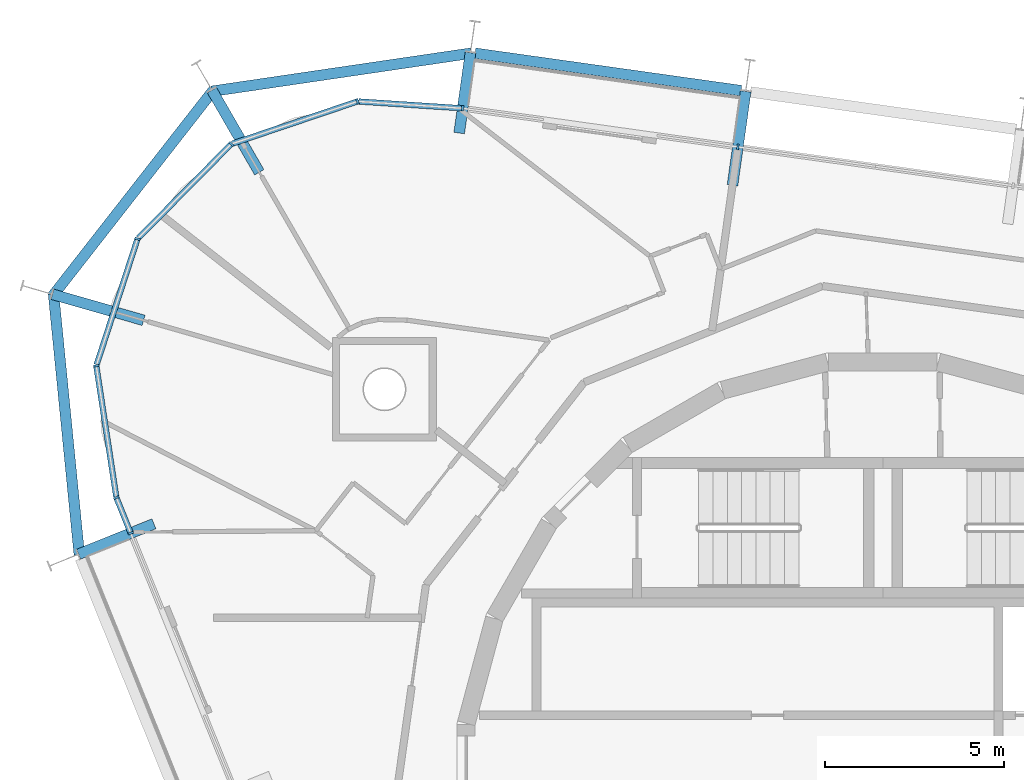
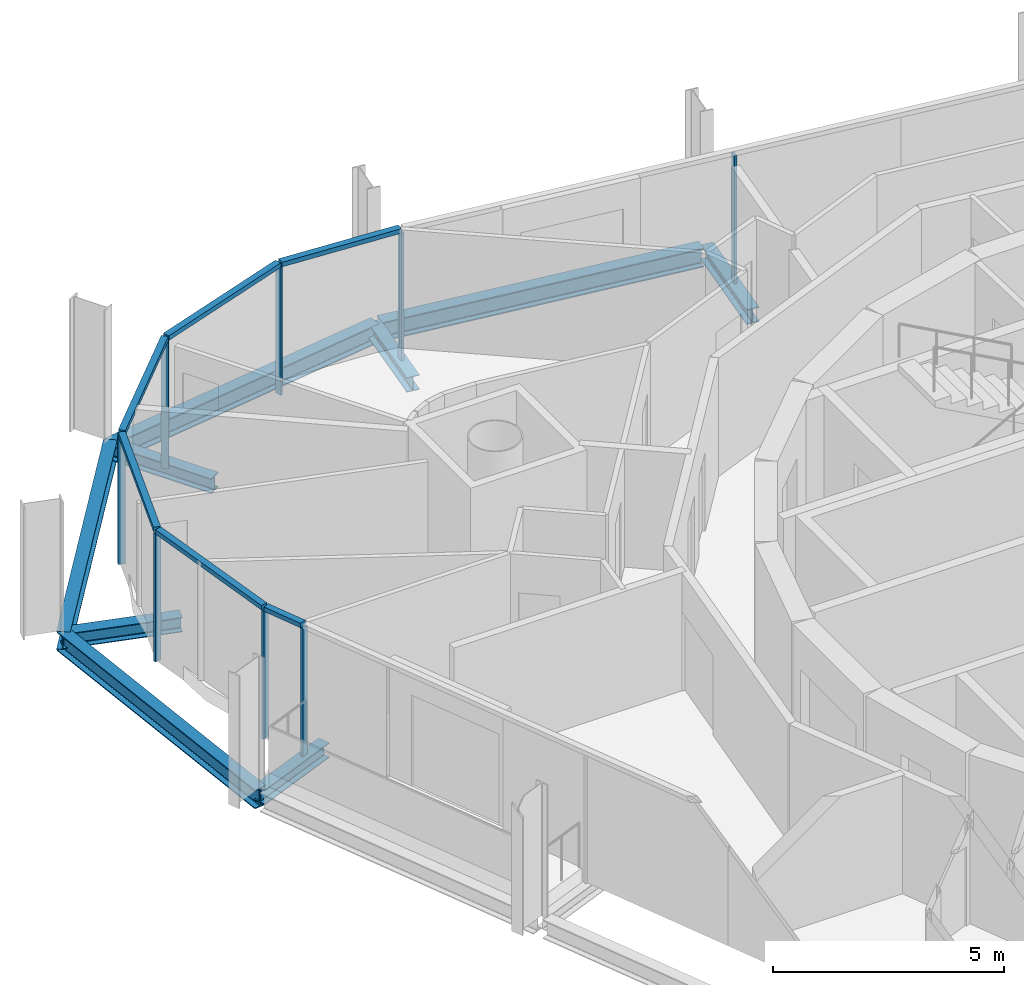
# One storey, part 5 of 15: 14 members, 9 beams, 3 elements without a shape of their own.
"""IFC4 building model written with IfcOpenShell, lengths in metres."""

from ifc_helpers import new_model, si_unit, direction, frame, origin, origin_2d, place, context, subcontext, project, spatial, rectangle, i_section, extrude, material, layer, layer_set, material_profile, profile_set, type_object, element, aggregate, save


model = new_model("IFC4")

# Units and contexts
model_context = context("Model", 3, precision=1e-05, world=origin(), true_north=direction((0.0, 1.0)))
body_context = subcontext(model_context, "Body", "Model", "MODEL_VIEW")
ifc_project = project(units=[si_unit("LENGTHUNIT", "METRE"), si_unit("AREAUNIT", "SQUARE_METRE"), si_unit("VOLUMEUNIT", "CUBIC_METRE"), si_unit("PLANEANGLEUNIT", "RADIAN"), si_unit("MASSUNIT", "GRAM", prefix="KILO")], contexts=[model_context])

# Site, building, storey
site_placement = place(None, origin())
site = spatial("IfcSite", under=ifc_project, at=site_placement, CompositionType="ELEMENT")
building_placement = place(site_placement, origin())
building = spatial("IfcBuilding", under=site, at=building_placement, Name="Spindle Arch Residences", CompositionType="ELEMENT")
storey_placement = place(building_placement, frame((0.0, 0.0, 357.5)))
storey = spatial("IfcBuildingStorey", under=building, at=storey_placement, Name="L92", CompositionType="ELEMENT", Elevation=357.5)

# Curtain wall, member
ifc_material_1 = material(Name="Aluminium bronze unitised frame with tinted glass", Category="aluminium")
ifc_layer_1 = layer(ifc_material_1, 0.159912109375)
ifc_layer_set_1 = layer_set([ifc_layer_1], Name="CW-C typical residential unitised wall")
curtain_wall_type_1 = type_object("IfcCurtainWallType", Name="CW-C typical residential unitised wall", PredefinedType="NOTDEFINED", material=ifc_layer_set_1)
curtain_wall_1_placement = place(storey_placement, origin())
curtain_wall_1 = element("IfcCurtainWall", 1, at=curtain_wall_1_placement, inside=storey, type_object=curtain_wall_type_1, Name="CW-C L92 run 2", PredefinedType="NOTDEFINED")
ifc_material_2 = material(Name="Aluminium bronze anodised mullion", Category="aluminium")
ifc_material_profile_1 = material_profile(ifc_material_2, rectangle(XDim=0.159912109375, YDim=0.06005859375, at=origin_2d()), Name="MU 60x160")
ifc_profile_set_1 = profile_set([ifc_material_profile_1], Name="Aluminium bronze anodised mullion")
member_type_1 = type_object("IfcMemberType", Name="Bronze mullion 60x160", PredefinedType="MULLION", material=ifc_profile_set_1)
member_1_placement = place(storey_placement, frame((-4.0537109375, 17.654296875, -0.3798828125), z_axis=(0.0, 0.0, 1.0), x_axis=(-0.13917310096, -0.990268068742, 0.0)))
member_1 = element("IfcMember", 2, at=member_1_placement, type_object=member_type_1, Name="CW-C mullion 07", PredefinedType="MULLION", context=body_context, shape_type="SweptSolid", body=[
    extrude(rectangle(XDim=0.159912109375, YDim=0.06005859375, at=origin_2d()), origin(), (0.0, 0.0, 1.0), 3.3798828125),
])
aggregate(curtain_wall_1, [member_1])

# Curtain wall, members
ifc_material_3 = material(Name="Aluminium bronze unitised frame with tinted glass", Category="aluminium")
ifc_layer_2 = layer(ifc_material_3, 0.159912109375)
ifc_layer_set_2 = layer_set([ifc_layer_2], Name="CW-D corner wall on the fillet arcs")
curtain_wall_type_2 = type_object("IfcCurtainWallType", Name="CW-D corner wall on the fillet arcs", PredefinedType="NOTDEFINED", material=ifc_layer_set_2)
curtain_wall_2_placement = place(storey_placement, origin())
curtain_wall_2 = element("IfcCurtainWall", 3, at=curtain_wall_2_placement, inside=storey, type_object=curtain_wall_type_2, Name="CW-D L92 run 3", PredefinedType="NOTDEFINED")
member_2_placement = place(storey_placement, frame((-11.74365234375, 18.735107421875, -0.3798828125), z_axis=(0.0, 0.0, 1.0), x_axis=(-0.065509719587, -0.99785193122, 0.0)))
member_2 = element("IfcMember", 4, at=member_2_placement, type_object=member_type_1, Name="CW-D mullion 00", PredefinedType="MULLION", context=body_context, shape_type="SweptSolid", body=[
    extrude(rectangle(XDim=0.159912109375, YDim=0.06005859375, at=origin_2d()), origin(), (0.0, 0.0, 1.0), 3.3798828125),
])
member_3_placement = place(storey_placement, frame((-14.6806640625, 18.927978515625, -0.3798828125), z_axis=(0.0, 0.0, 1.0), x_axis=(0.320061877599, -0.947396640541, 0.0)))
member_3 = element("IfcMember", 5, at=member_3_placement, type_object=member_type_1, Name="CW-D mullion 01", PredefinedType="MULLION", context=body_context, shape_type="SweptSolid", body=[
    extrude(rectangle(XDim=0.159912109375, YDim=0.06005859375, at=origin_2d()), origin(), (0.0, 0.0, 1.0), 3.3798828125),
])
member_4_placement = place(storey_placement, frame((-18.211181640625, 17.735107421875, -0.3798828125), z_axis=(0.0, 0.0, 1.0), x_axis=(0.711208574043, -0.702981055369, 0.0)))
member_4 = element("IfcMember", 6, at=member_4_placement, type_object=member_type_1, Name="CW-D mullion 02", PredefinedType="MULLION", context=body_context, shape_type="SweptSolid", body=[
    extrude(rectangle(XDim=0.159912109375, YDim=0.06005859375, at=origin_2d()), origin(), (0.0, 0.0, 1.0), 3.3798828125),
])
member_5_placement = place(storey_placement, frame((-20.8310546875, 15.084716796875, -0.3798828125), z_axis=(0.0, 0.0, 1.0), x_axis=(0.951056517498, -0.309016990673, 0.0)))
member_5 = element("IfcMember", 7, at=member_5_placement, type_object=member_type_1, Name="CW-D mullion 03", PredefinedType="MULLION", context=body_context, shape_type="SweptSolid", body=[
    extrude(rectangle(XDim=0.159912109375, YDim=0.06005859375, at=origin_2d()), origin(), (0.0, 0.0, 1.0), 3.3798828125),
])
member_6_placement = place(storey_placement, frame((-21.982666015625, 11.540283203125, -0.3798828125), z_axis=(0.0, 0.0, 1.0), x_axis=(0.988581718471, 0.150685718984, 0.0)))
member_6 = element("IfcMember", 8, at=member_6_placement, type_object=member_type_1, Name="CW-D mullion 04", PredefinedType="MULLION", context=body_context, shape_type="SweptSolid", body=[
    extrude(rectangle(XDim=0.159912109375, YDim=0.06005859375, at=origin_2d()), origin(), (0.0, 0.0, 1.0), 3.3798828125),
])
member_7_placement = place(storey_placement, frame((-21.421142578125, 7.856201171875, -0.3798828125), z_axis=(0.0, 0.0, 1.0), x_axis=(0.927183854567, 0.374606593416, 0.0)))
member_7 = element("IfcMember", 9, at=member_7_placement, type_object=member_type_1, Name="CW-D mullion 05", PredefinedType="MULLION", context=body_context, shape_type="SweptSolid", body=[
    extrude(rectangle(XDim=0.159912109375, YDim=0.06005859375, at=origin_2d()), origin(), (0.0, 0.0, 1.0), 3.3798828125),
])

# Curtain wall, member
curtain_wall_3_placement = place(storey_placement, origin())
curtain_wall_3 = element("IfcCurtainWall", 10, at=curtain_wall_3_placement, inside=storey, type_object=curtain_wall_type_1, Name="CW-C L92 run 4", PredefinedType="NOTDEFINED")
member_8_placement = place(storey_placement, frame((-21.019775390625, 6.862548828125, -0.3798828125), z_axis=(0.0, 0.0, 1.0), x_axis=(0.927183854567, 0.374606593416, 0.0)))
member_8 = element("IfcMember", 11, at=member_8_placement, type_object=member_type_1, Name="CW-C mullion 11", PredefinedType="MULLION", context=body_context, shape_type="SweptSolid", body=[
    extrude(rectangle(XDim=0.159912109375, YDim=0.06005859375, at=origin_2d()), origin(), (0.0, 0.0, 1.0), 3.3798828125),
])
aggregate(curtain_wall_3, [member_8])

# Member
ifc_material_4 = material(Name="Aluminium bronze anodised transom", Category="aluminium")
ifc_material_profile_2 = material_profile(ifc_material_4, rectangle(XDim=0.159912109375, YDim=0.1201171875, at=origin_2d()), Name="TR 120x160")
ifc_profile_set_2 = profile_set([ifc_material_profile_2], Name="Aluminium bronze anodised transom")
member_type_2 = type_object("IfcMemberType", Name="Bronze transom 120x160", PredefinedType="USERDEFINED", material=ifc_profile_set_2)
member_9_placement = place(storey_placement, frame((-11.773681640625, 18.737060546875, 3.06005859375), z_axis=(-0.997849873477, 0.065541055844, 0.0), x_axis=(-0.065541055844, -0.997849873477, 0.0)))
member_9 = element("IfcMember", 12, at=member_9_placement, type_object=member_type_2, Name="CW-D transom 00", ObjectType="TRANSOM", PredefinedType="USERDEFINED", context=body_context, shape_type="SweptSolid", body=[
    extrude(rectangle(XDim=0.159912109375, YDim=0.1201171875, at=origin_2d()), origin(), (0.0, 0.0, 1.0), 2.883056640625),
])

member_10_placement = place(storey_placement, frame((-14.708984375, 18.91845703125, 3.06005859375), z_axis=(-0.94739716915, -0.320060312889, 0.0), x_axis=(0.320060312889, -0.94739716915, 0.0)))
member_10 = element("IfcMember", 13, at=member_10_placement, type_object=member_type_2, Name="CW-D transom 01", ObjectType="TRANSOM", PredefinedType="USERDEFINED", context=body_context, shape_type="SweptSolid", body=[
    extrude(rectangle(XDim=0.159912109375, YDim=0.1201171875, at=origin_2d()), origin(), (0.0, 0.0, 1.0), 3.666748046875),
])

member_11_placement = place(storey_placement, frame((-18.232421875, 17.7138671875, 3.06005859375), z_axis=(-0.702966683093, -0.711222779769, 0.0), x_axis=(0.711222779769, -0.702966683093, 0.0)))
member_11 = element("IfcMember", 14, at=member_11_placement, type_object=member_type_2, Name="CW-D transom 02", ObjectType="TRANSOM", PredefinedType="USERDEFINED", context=body_context, shape_type="SweptSolid", body=[
    extrude(rectangle(XDim=0.159912109375, YDim=0.1201171875, at=origin_2d()), origin(), (0.0, 0.0, 1.0), 3.666748046875),
])

member_12_placement = place(storey_placement, frame((-20.84033203125, 15.05615234375, 3.06005859375), z_axis=(-0.309007783623, -0.951059509001, 0.0), x_axis=(0.951059509001, -0.309007783623, 0.0)))
member_12 = element("IfcMember", 15, at=member_12_placement, type_object=member_type_2, Name="CW-D transom 03", ObjectType="TRANSOM", PredefinedType="USERDEFINED", context=body_context, shape_type="SweptSolid", body=[
    extrude(rectangle(XDim=0.159912109375, YDim=0.1201171875, at=origin_2d()), origin(), (0.0, 0.0, 1.0), 3.666748046875),
])

member_13_placement = place(storey_placement, frame((-21.978271484375, 11.5107421875, 3.06005859375), z_axis=(0.150671164407, -0.988583936859, 0.0), x_axis=(0.988583936859, 0.150671164407, 0.0)))
member_13 = element("IfcMember", 16, at=member_13_placement, type_object=member_type_2, Name="CW-D transom 04", ObjectType="TRANSOM", PredefinedType="USERDEFINED", context=body_context, shape_type="SweptSolid", body=[
    extrude(rectangle(XDim=0.159912109375, YDim=0.1201171875, at=origin_2d()), origin(), (0.0, 0.0, 1.0), 3.666748046875),
])

member_14_placement = place(storey_placement, frame((-21.409912109375, 7.828369140625, 3.06005859375), z_axis=(0.374550833754, -0.927206380982, 0.0), x_axis=(0.927206380982, 0.374550833754, 0.0)))
member_14 = element("IfcMember", 17, at=member_14_placement, type_object=member_type_2, Name="CW-D transom 05", ObjectType="TRANSOM", PredefinedType="USERDEFINED", context=body_context, shape_type="SweptSolid", body=[
    extrude(rectangle(XDim=0.159912109375, YDim=0.1201171875, at=origin_2d()), origin(), (0.0, 0.0, 1.0), 1.01171875),
])

aggregate(curtain_wall_2, [member_2, member_9, member_3, member_10, member_4, member_11, member_5, member_12, member_6, member_13, member_7, member_14])

# Beams
ifc_material_5 = material(Name="Steel S460ML, intumescent coating R 120", Category="steel")
ifc_material_profile_3 = material_profile(ifc_material_5, i_section(OverallWidth=0.300048828125, OverallDepth=0.5, WebThickness=0.014404296875, FlangeThickness=0.028076171875, FilletRadius=0.027099609375, at=origin_2d()), Name="HEB 500")
ifc_profile_set_3 = profile_set([ifc_material_profile_3], Name="Steel S460ML, intumescent coating R 120")
beam_type_1 = type_object("IfcBeamType", Name="Exoskeleton edge beam HEB 500", PredefinedType="BEAM", material=ifc_profile_set_3)
beam_1_placement = place(storey_placement, frame((-3.964111328125, 19.227294921875, -0.6298828125), z_axis=(-0.990270241249, 0.13915764189, 0.0), x_axis=(-0.13915764189, -0.990270241249, 0.0)))
element("IfcBeam", 18, at=beam_1_placement, inside=storey, type_object=beam_type_1, Name="Exoskeleton edge beam 8", PredefinedType="BEAM", context=body_context, shape_type="SweptSolid", body=[
    extrude(i_section(OverallWidth=0.300048828125, OverallDepth=0.5, WebThickness=0.014404296875, FlangeThickness=0.028076171875, FilletRadius=0.027099609375, at=origin_2d()), origin(), (0.0, 0.0, 1.0), 7.50537109375),
])
beam_2_placement = place(storey_placement, frame((-11.505615234375, 20.27490234375, -0.6298828125), z_axis=(-0.989384491355, -0.145321465266, 0.0), x_axis=(0.145321465266, -0.989384491355, 0.0)))
element("IfcBeam", 19, at=beam_2_placement, inside=storey, type_object=beam_type_1, Name="Exoskeleton edge beam 9", PredefinedType="BEAM", context=body_context, shape_type="SweptSolid", body=[
    extrude(i_section(OverallWidth=0.300048828125, OverallDepth=0.5, WebThickness=0.014404296875, FlangeThickness=0.028076171875, FilletRadius=0.027099609375, at=origin_2d()), origin(), (0.0, 0.0, 1.0), 7.333251953125),
])
beam_3_placement = place(storey_placement, frame((-18.700927734375, 19.252685546875, -0.6298828125), z_axis=(-0.615671888322, -0.788002617971, 0.0), x_axis=(0.788002617971, -0.615671888322, 0.0)))
element("IfcBeam", 20, at=beam_3_placement, inside=storey, type_object=beam_type_1, Name="Exoskeleton edge beam 10", PredefinedType="BEAM", context=body_context, shape_type="SweptSolid", body=[
    extrude(i_section(OverallWidth=0.300048828125, OverallDepth=0.5, WebThickness=0.014404296875, FlangeThickness=0.028076171875, FilletRadius=0.027099609375, at=origin_2d()), origin(), (0.0, 0.0, 1.0), 7.31591796875),
])
beam_4_placement = place(storey_placement, frame((-23.177490234375, 13.556640625, -0.6298828125), z_axis=(0.098376359096, -0.995149281249, 0.0), x_axis=(0.995149281249, 0.098376359096, 0.0)))
element("IfcBeam", 21, at=beam_4_placement, inside=storey, type_object=beam_type_1, Name="Exoskeleton edge beam 11", PredefinedType="BEAM", context=body_context, shape_type="SweptSolid", body=[
    extrude(i_section(OverallWidth=0.300048828125, OverallDepth=0.5, WebThickness=0.014404296875, FlangeThickness=0.028076171875, FilletRadius=0.027099609375, at=origin_2d()), origin(), (0.0, 0.0, 1.0), 7.33349609375),
])
ifc_material_6 = material(Name="Steel S460ML, intumescent coating R 120", Category="steel")
ifc_material_profile_4 = material_profile(ifc_material_6, i_section(OverallWidth=0.300048828125, OverallDepth=0.389892578125, WebThickness=0.010986328125, FlangeThickness=0.01904296875, FilletRadius=0.027099609375, at=origin_2d()), Name="HEA 400")
ifc_profile_set_4 = profile_set([ifc_material_profile_4], Name="Steel S460ML, intumescent coating R 120")
beam_type_2 = type_object("IfcBeamType", Name="Floor outrigger HEA 400", PredefinedType="BEAM", material=ifc_profile_set_4)
beam_5_placement = place(storey_placement, frame((-3.835205078125, 19.208984375, -0.574951171875), z_axis=(-0.139215304089, -0.990262136562, 0.0), x_axis=(0.990262136562, -0.139215304089, 0.0)))
element("IfcBeam", 22, at=beam_5_placement, inside=storey, type_object=beam_type_2, Name="Floor outrigger 8", PredefinedType="BEAM", context=body_context, shape_type="SweptSolid", body=[
    extrude(i_section(OverallWidth=0.300048828125, OverallDepth=0.389892578125, WebThickness=0.010986328125, FlangeThickness=0.01904296875, FilletRadius=0.027099609375, at=origin_2d()), origin(), (0.0, 0.0, 1.0), 2.64990234375),
])
beam_6_placement = place(storey_placement, frame((-11.525146484375, 20.289794921875, -0.574951171875), z_axis=(-0.139236695956, -0.990259128965, 0.0), x_axis=(0.990259128965, -0.139236695956, 0.0)))
element("IfcBeam", 23, at=beam_6_placement, inside=storey, type_object=beam_type_2, Name="Floor outrigger 9", PredefinedType="BEAM", context=body_context, shape_type="SweptSolid", body=[
    extrude(i_section(OverallWidth=0.300048828125, OverallDepth=0.389892578125, WebThickness=0.010986328125, FlangeThickness=0.01904296875, FilletRadius=0.027099609375, at=origin_2d()), origin(), (0.0, 0.0, 1.0), 2.26904296875),
])
beam_7_placement = place(storey_placement, frame((-18.750732421875, 19.2421875, -0.574951171875), z_axis=(0.49963737375, -0.866234664945, 0.0), x_axis=(0.866234664945, 0.49963737375, 0.0)))
element("IfcBeam", 24, at=beam_7_placement, inside=storey, type_object=beam_type_2, Name="Floor outrigger 10", PredefinedType="BEAM", context=body_context, shape_type="SweptSolid", body=[
    extrude(i_section(OverallWidth=0.300048828125, OverallDepth=0.389892578125, WebThickness=0.010986328125, FlangeThickness=0.01904296875, FilletRadius=0.027099609375, at=origin_2d()), origin(), (0.0, 0.0, 1.0), 2.64990234375),
])
beam_8_placement = place(storey_placement, frame((-23.20703125, 13.53857421875, -0.574951171875), z_axis=(0.961395217741, -0.275171283575, 0.0), x_axis=(0.275171283575, 0.961395217741, 0.0)))
element("IfcBeam", 25, at=beam_8_placement, inside=storey, type_object=beam_type_2, Name="Floor outrigger 11", PredefinedType="BEAM", context=body_context, shape_type="SweptSolid", body=[
    extrude(i_section(OverallWidth=0.300048828125, OverallDepth=0.389892578125, WebThickness=0.010986328125, FlangeThickness=0.01904296875, FilletRadius=0.027099609375, at=origin_2d()), origin(), (0.0, 0.0, 1.0), 2.650146484375),
])
beam_9_placement = place(storey_placement, frame((-22.475341796875, 6.2744140625, -0.574951171875), z_axis=(0.927202315329, 0.374560898185, 0.0), x_axis=(-0.374560898185, 0.927202315329, 0.0)))
element("IfcBeam", 26, at=beam_9_placement, inside=storey, type_object=beam_type_2, Name="Floor outrigger 12", PredefinedType="BEAM", context=body_context, shape_type="SweptSolid", body=[
    extrude(i_section(OverallWidth=0.300048828125, OverallDepth=0.389892578125, WebThickness=0.010986328125, FlangeThickness=0.01904296875, FilletRadius=0.027099609375, at=origin_2d()), origin(), (0.0, 0.0, 1.0), 2.26904296875),
])

save(model, "model.ifc")
